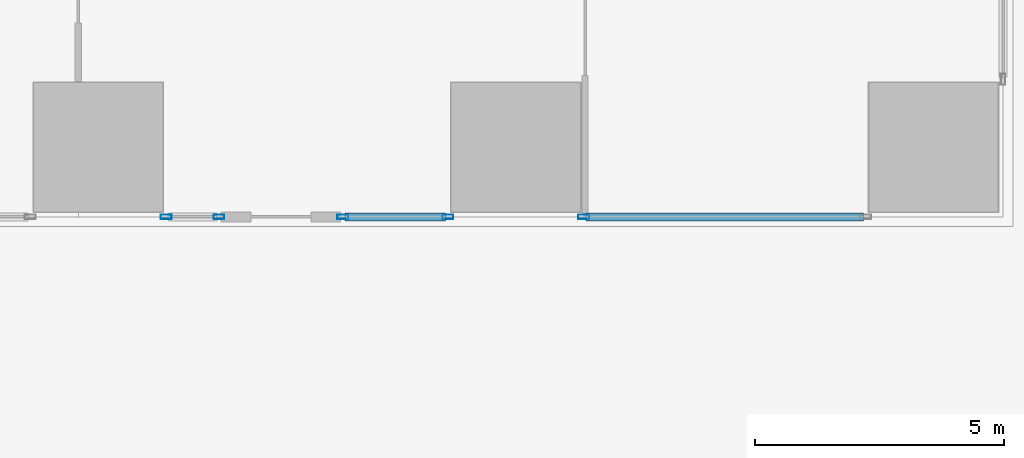
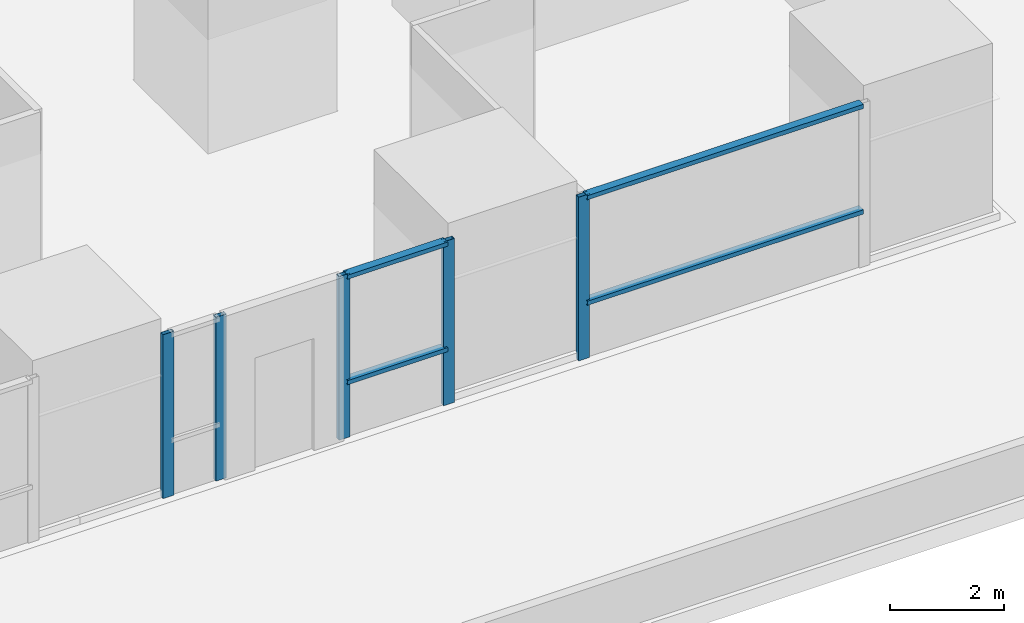
# One storey, part 6 of 35: 9 members, 3 elements without a shape of their own.
"""IFC4 building model written with IfcOpenShell, lengths in metres."""

from ifc_helpers import new_model, si_unit, direction, frame, origin, origin_2d, place, context, subcontext, project, spatial, hollow_rectangle, extrude, material, material_profile, profile_set, type_object, element, aggregate, save


model = new_model("IFC4")

# Units and contexts
model_context = context("Model", 3, precision=1e-05, world=origin(), true_north=direction((0.0, 1.0)))
body_context = subcontext(model_context, "Body", "Model", "MODEL_VIEW")
ifc_project = project(units=[si_unit("LENGTHUNIT", "METRE"), si_unit("AREAUNIT", "SQUARE_METRE"), si_unit("VOLUMEUNIT", "CUBIC_METRE"), si_unit("PLANEANGLEUNIT", "RADIAN"), si_unit("MASSUNIT", "GRAM", prefix="KILO")], contexts=[model_context])

# Site, building, storey
site_placement = place(None, origin())
site = spatial("IfcSite", under=ifc_project, at=site_placement, CompositionType="ELEMENT")
building_placement = place(site_placement, origin())
building = spatial("IfcBuilding", under=site, at=building_placement, Name="Rekha Terrace Tower", CompositionType="ELEMENT")
storey_placement = place(building_placement, frame((0.0, 0.0, 25.39990234375)))
storey = spatial("IfcBuildingStorey", under=building, at=storey_placement, Name="L05", CompositionType="ELEMENT", Elevation=25.39990234375)

# Curtain wall, members
ifc_material_1 = material(Name="Aluminium framing", Category="aluminium")
curtain_wall_type = type_object("IfcCurtainWallType", Name="CW5 sky garden glazing", PredefinedType="USERDEFINED", material=ifc_material_1)
curtain_wall_1_placement = place(storey_placement, origin())
curtain_wall_1 = element("IfcCurtainWall", 1, at=curtain_wall_1_placement, inside=storey, type_object=curtain_wall_type, Name="CW5 sky garden curtain wall", ObjectType="SKY GARDEN CURTAIN WALL", PredefinedType="USERDEFINED")
ifc_material_2 = material(Name="Aluminium mullion section", Category="aluminium")
ifc_material_profile_1 = material_profile(ifc_material_2, hollow_rectangle(XDim=0.090087890625, YDim=0.219970703125, WallThickness=0.00390625, at=origin_2d()), Name="AL RHS 90x220")
ifc_profile_set_1 = profile_set([ifc_material_profile_1], Name="Aluminium mullion section")
member_type_1 = type_object("IfcMemberType", Name="CW5 mullion RHS 90 x 220", PredefinedType="MULLION", material=ifc_profile_set_1)
member_1_placement = place(storey_placement, frame((51.764892578125, 7.0, 0.0), z_axis=(0.0, 0.0, 1.0), x_axis=(0.0, 1.0, 0.0)))
member_1 = element("IfcMember", 2, at=member_1_placement, type_object=member_type_1, Name="CW5 mullion 1", PredefinedType="MULLION", context=body_context, shape_type="SweptSolid", body=[
    extrude(hollow_rectangle(XDim=0.090087890625, YDim=0.219970703125, WallThickness=0.00390625, at=origin_2d()), origin(), (0.0, 0.0, 1.0), 3.5),
])
member_2_placement = place(storey_placement, frame((52.830078125, 7.0, 0.0), z_axis=(0.0, 0.0, 1.0), x_axis=(0.0, 1.0, 0.0)))
member_2 = element("IfcMember", 3, at=member_2_placement, type_object=member_type_1, Name="CW5 mullion 2", PredefinedType="MULLION", context=body_context, shape_type="SweptSolid", body=[
    extrude(hollow_rectangle(XDim=0.090087890625, YDim=0.219970703125, WallThickness=0.00390625, at=origin_2d()), origin(), (0.0, 0.0, 1.0), 3.5),
])
aggregate(curtain_wall_1, [member_1, member_2])

curtain_wall_2_placement = place(storey_placement, origin())
curtain_wall_2 = element("IfcCurtainWall", 4, at=curtain_wall_2_placement, inside=storey, type_object=curtain_wall_type, Name="CW5 sky garden curtain wall", ObjectType="SKY GARDEN CURTAIN WALL", PredefinedType="USERDEFINED")
member_3_placement = place(storey_placement, frame((55.320068359375, 7.0, 0.0), z_axis=(0.0, 0.0, 1.0), x_axis=(0.0, 1.0, 0.0)))
member_3 = element("IfcMember", 5, at=member_3_placement, type_object=member_type_1, Name="CW5 mullion 1", PredefinedType="MULLION", context=body_context, shape_type="SweptSolid", body=[
    extrude(hollow_rectangle(XDim=0.090087890625, YDim=0.219970703125, WallThickness=0.00390625, at=origin_2d()), origin(), (0.0, 0.0, 1.0), 3.5),
])
member_4_placement = place(storey_placement, frame((57.43505859375, 7.0, 0.0), z_axis=(0.0, 0.0, 1.0), x_axis=(0.0, 1.0, 0.0)))
member_4 = element("IfcMember", 6, at=member_4_placement, type_object=member_type_1, Name="CW5 mullion 2", PredefinedType="MULLION", context=body_context, shape_type="SweptSolid", body=[
    extrude(hollow_rectangle(XDim=0.090087890625, YDim=0.219970703125, WallThickness=0.00390625, at=origin_2d()), origin(), (0.0, 0.0, 1.0), 3.5),
])

# Curtain wall, member
curtain_wall_3_placement = place(storey_placement, origin())
curtain_wall_3 = element("IfcCurtainWall", 7, at=curtain_wall_3_placement, inside=storey, type_object=curtain_wall_type, Name="CW5 sky garden curtain wall", ObjectType="SKY GARDEN CURTAIN WALL", PredefinedType="USERDEFINED")
member_5_placement = place(storey_placement, frame((60.1650390625, 7.0, 0.0), z_axis=(0.0, 0.0, 1.0), x_axis=(0.0, 1.0, 0.0)))
member_5 = element("IfcMember", 8, at=member_5_placement, type_object=member_type_1, Name="CW5 mullion 1", PredefinedType="MULLION", context=body_context, shape_type="SweptSolid", body=[
    extrude(hollow_rectangle(XDim=0.090087890625, YDim=0.219970703125, WallThickness=0.00390625, at=origin_2d()), origin(), (0.0, 0.0, 1.0), 3.5),
])

# Member
ifc_material_3 = material(Name="Aluminium transom section", Category="aluminium")
ifc_material_profile_2 = material_profile(ifc_material_3, hollow_rectangle(XDim=0.159912109375, YDim=0.090087890625, WallThickness=0.0029296875, at=origin_2d()), Name="AL RHS 160x90")
ifc_profile_set_2 = profile_set([ifc_material_profile_2], Name="Aluminium transom section")
member_type_2 = type_object("IfcMemberType", Name="CW5 transom RHS 90 x 160", PredefinedType="USERDEFINED", material=ifc_profile_set_2)
member_6_placement = place(storey_placement, frame((55.364990234375, 7.0, 1.2001953125), z_axis=(1.0, 0.0, 0.0), x_axis=(0.0, 1.0, 0.0)))
member_6 = element("IfcMember", 9, at=member_6_placement, type_object=member_type_2, Name="CW5 transom 1.2", ObjectType="TRANSOM", PredefinedType="USERDEFINED", context=body_context, shape_type="SweptSolid", body=[
    extrude(hollow_rectangle(XDim=0.159912109375, YDim=0.090087890625, WallThickness=0.0029296875, at=origin_2d()), origin(), (0.0, 0.0, 1.0), 2.02490234375),
])

member_7_placement = place(storey_placement, frame((55.364990234375, 7.0, 3.455078125), z_axis=(1.0, 0.0, 0.0), x_axis=(0.0, 1.0, 0.0)))
member_7 = element("IfcMember", 10, at=member_7_placement, type_object=member_type_2, Name="CW5 transom 1.3", ObjectType="TRANSOM", PredefinedType="USERDEFINED", context=body_context, shape_type="SweptSolid", body=[
    extrude(hollow_rectangle(XDim=0.159912109375, YDim=0.090087890625, WallThickness=0.0029296875, at=origin_2d()), origin(), (0.0, 0.0, 1.0), 2.02490234375),
])

aggregate(curtain_wall_2, [member_3, member_4, member_6, member_7])

member_8_placement = place(storey_placement, frame((60.2099609375, 7.0, 1.2001953125), z_axis=(1.0, 0.0, 0.0), x_axis=(0.0, 1.0, 0.0)))
member_8 = element("IfcMember", 11, at=member_8_placement, type_object=member_type_2, Name="CW5 transom 1.2", ObjectType="TRANSOM", PredefinedType="USERDEFINED", context=body_context, shape_type="SweptSolid", body=[
    extrude(hollow_rectangle(XDim=0.159912109375, YDim=0.090087890625, WallThickness=0.0029296875, at=origin_2d()), origin(), (0.0, 0.0, 1.0), 5.580078125),
])

member_9_placement = place(storey_placement, frame((60.2099609375, 7.0, 3.455078125), z_axis=(1.0, 0.0, 0.0), x_axis=(0.0, 1.0, 0.0)))
member_9 = element("IfcMember", 12, at=member_9_placement, type_object=member_type_2, Name="CW5 transom 1.3", ObjectType="TRANSOM", PredefinedType="USERDEFINED", context=body_context, shape_type="SweptSolid", body=[
    extrude(hollow_rectangle(XDim=0.159912109375, YDim=0.090087890625, WallThickness=0.0029296875, at=origin_2d()), origin(), (0.0, 0.0, 1.0), 5.580078125),
])

aggregate(curtain_wall_3, [member_5, member_8, member_9])

save(model, "model.ifc")
